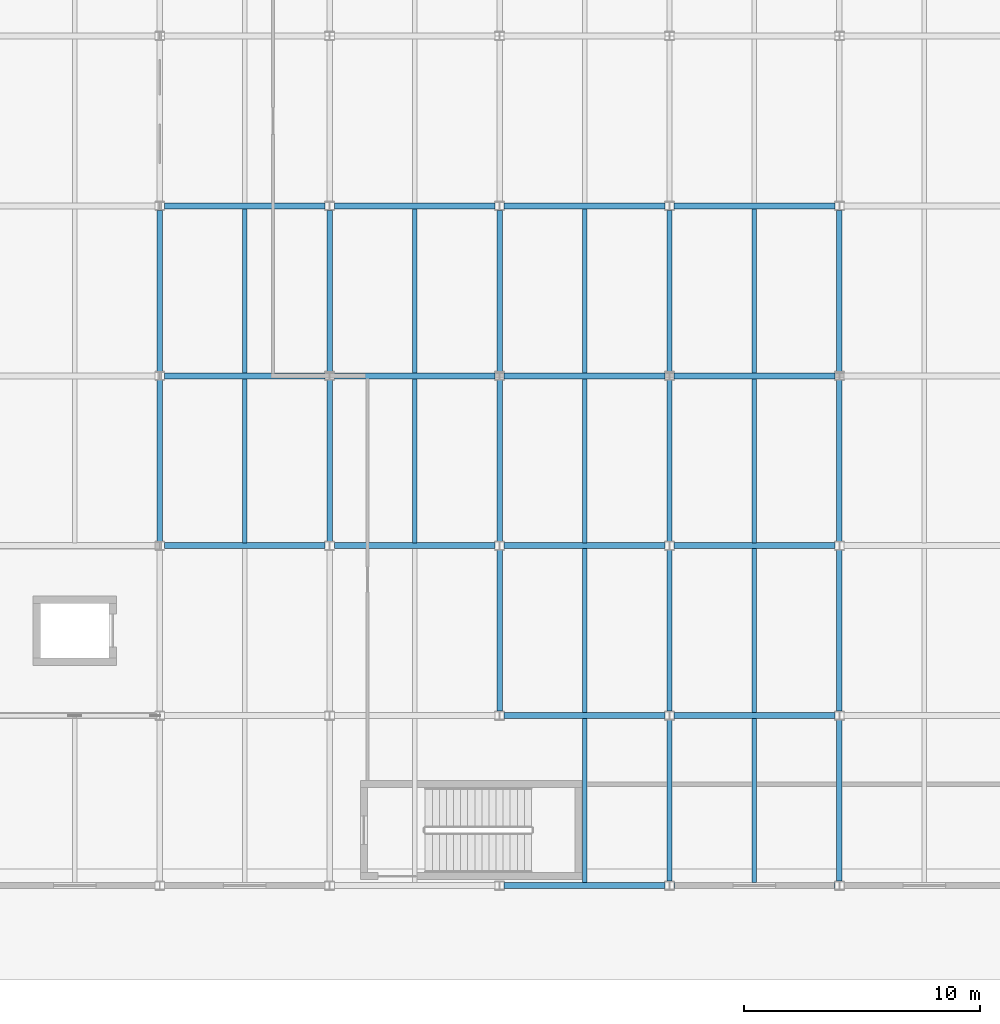
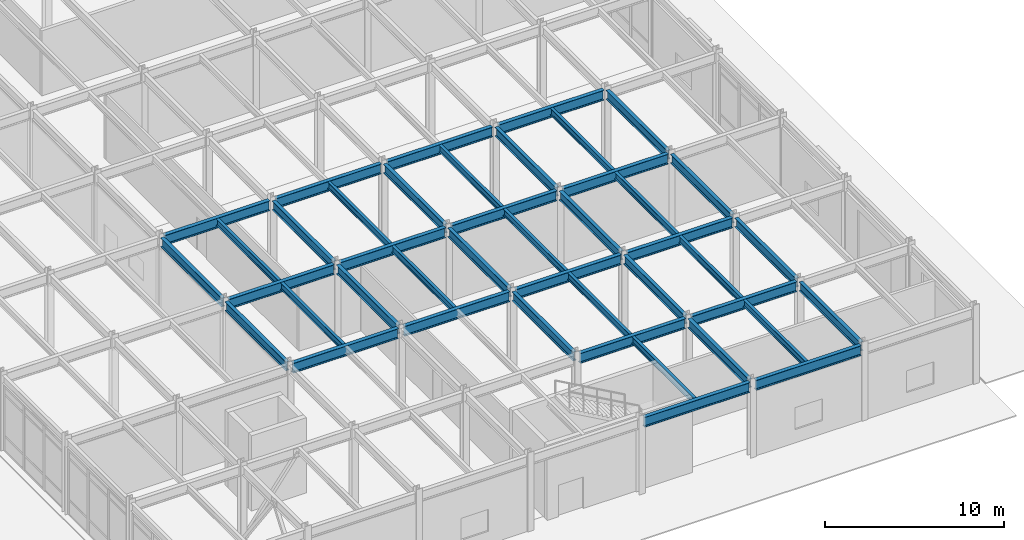
# One storey, part 43 of 104: 43 beams.
"""IFC4 building model written with IfcOpenShell, lengths in metres."""

from ifc_helpers import new_model, si_unit, direction, frame, origin, origin_2d, place, context, subcontext, project, spatial, i_section, extrude, material, material_profile, profile_set, type_object, element, save


model = new_model("IFC4")

# Units and contexts
model_context = context("Model", 3, precision=1e-05, world=origin(), true_north=direction((0.0, 1.0)))
body_context = subcontext(model_context, "Body", "Model", "MODEL_VIEW")
ifc_project = project(units=[si_unit("LENGTHUNIT", "METRE"), si_unit("AREAUNIT", "SQUARE_METRE"), si_unit("VOLUMEUNIT", "CUBIC_METRE"), si_unit("PLANEANGLEUNIT", "RADIAN"), si_unit("MASSUNIT", "GRAM", prefix="KILO")], contexts=[model_context])

# Site, building, storey
site_placement = place(None, origin())
site = spatial("IfcSite", under=ifc_project, at=site_placement, CompositionType="ELEMENT")
building_placement = place(site_placement, origin())
building = spatial("IfcBuilding", under=site, at=building_placement, Name="Vaelcorin Mobility Hub", CompositionType="ELEMENT")
storey_placement = place(building_placement, origin())
storey = spatial("IfcBuildingStorey", under=building, at=storey_placement, Name="L00", CompositionType="ELEMENT", Elevation=0.0)

# Beams
ifc_material = material(Name="Steel ASTM A992 Grade 50", Category="steel")
ifc_material_profile_1 = material_profile(ifc_material, i_section(OverallWidth=0.19091796875, OverallDepth=0.4599609375, WebThickness=0.010009765625, FlangeThickness=0.01611328125, FilletRadius=0.012939453125, at=origin_2d()), Name="W18X55")
ifc_profile_set_1 = profile_set([ifc_material_profile_1], Name="Steel ASTM A992 Grade 50")
beam_type_1 = type_object("IfcBeamType", Name="BM-W18X55", PredefinedType="JOIST", material=ifc_profile_set_1)
beam_1_placement = place(storey_placement, frame((171.60009765625, 20.52490234375, 4.909912109375), z_axis=(0.0, 1.0, 0.0), x_axis=(-1.0, 0.0, 0.0)))
element("IfcBeam", 1, at=beam_1_placement, inside=storey, type_object=beam_type_1, Name="L00 Beam V5-L00-J-03-03-1", PredefinedType="JOIST", context=body_context, shape_type="SweptSolid", body=[
    extrude(i_section(OverallWidth=0.19091796875, OverallDepth=0.4599609375, WebThickness=0.010009765625, FlangeThickness=0.01611328125, FilletRadius=0.012939453125, at=origin_2d()), origin(), (0.0, 0.0, 1.0), 6.9501953125),
])
beam_2_placement = place(storey_placement, frame((171.60009765625, 27.72509765625, 4.909912109375), z_axis=(0.0, 1.0, 0.0), x_axis=(-1.0, 0.0, 0.0)))
element("IfcBeam", 2, at=beam_2_placement, inside=storey, type_object=beam_type_1, Name="L00 Beam V5-L00-J-03-04-1", PredefinedType="JOIST", context=body_context, shape_type="SweptSolid", body=[
    extrude(i_section(OverallWidth=0.19091796875, OverallDepth=0.4599609375, WebThickness=0.010009765625, FlangeThickness=0.01611328125, FilletRadius=0.012939453125, at=origin_2d()), origin(), (0.0, 0.0, 1.0), 6.949951171875),
])
beam_3_placement = place(storey_placement, frame((178.800048828125, 20.52490234375, 4.909912109375), z_axis=(0.0, 1.0, 0.0), x_axis=(-1.0, 0.0, 0.0)))
element("IfcBeam", 3, at=beam_3_placement, inside=storey, type_object=beam_type_1, Name="L00 Beam V5-L00-J-04-03-1", PredefinedType="JOIST", context=body_context, shape_type="SweptSolid", body=[
    extrude(i_section(OverallWidth=0.19091796875, OverallDepth=0.4599609375, WebThickness=0.010009765625, FlangeThickness=0.01611328125, FilletRadius=0.012939453125, at=origin_2d()), origin(), (0.0, 0.0, 1.0), 6.9501953125),
])
for number, where, z_axis, x_axis, name in (
    (4, (178.800048828125, 27.72509765625, 4.909912109375), (0.0, 1.0, 0.0), (-1.0, 0.0, 0.0), "L00 Beam V5-L00-J-04-04-1"),
    (5, (186.0, 6.125, 4.909912109375), (0.0, 1.0, 0.0), (-1.0, 0.0, 0.0), "L00 Beam V5-L00-J-05-01-1"),
    (6, (186.0, 13.324951171875, 4.909912109375), (0.0, 1.0, 0.0), (-1.0, 0.0, 0.0), "L00 Beam V5-L00-J-05-02-1"),
):
    element("IfcBeam", number, at=place(storey_placement, frame(where, z_axis=z_axis, x_axis=x_axis)), inside=storey, type_object=beam_type_1, Name=name, PredefinedType="JOIST", context=body_context, shape_type="SweptSolid", body=[
        extrude(i_section(OverallWidth=0.19091796875, OverallDepth=0.4599609375, WebThickness=0.010009765625, FlangeThickness=0.01611328125, FilletRadius=0.012939453125, at=origin_2d()), origin(), (0.0, 0.0, 1.0), 6.949951171875),
    ])
beam_4_placement = place(storey_placement, frame((186.0, 20.52490234375, 4.909912109375), z_axis=(0.0, 1.0, 0.0), x_axis=(-1.0, 0.0, 0.0)))
element("IfcBeam", 7, at=beam_4_placement, inside=storey, type_object=beam_type_1, Name="L00 Beam V5-L00-J-05-03-1", PredefinedType="JOIST", context=body_context, shape_type="SweptSolid", body=[
    extrude(i_section(OverallWidth=0.19091796875, OverallDepth=0.4599609375, WebThickness=0.010009765625, FlangeThickness=0.01611328125, FilletRadius=0.012939453125, at=origin_2d()), origin(), (0.0, 0.0, 1.0), 6.9501953125),
])
for number, where, z_axis, x_axis, name in (
    (8, (186.0, 27.72509765625, 4.909912109375), (0.0, 1.0, 0.0), (-1.0, 0.0, 0.0), "L00 Beam V5-L00-J-05-04-1"),
    (9, (193.199951171875, 6.125, 4.909912109375), (0.0, 1.0, 0.0), (-1.0, 0.0, 0.0), "L00 Beam V5-L00-J-06-01-1"),
    (10, (193.199951171875, 13.324951171875, 4.909912109375), (0.0, 1.0, 0.0), (-1.0, 0.0, 0.0), "L00 Beam V5-L00-J-06-02-1"),
):
    element("IfcBeam", number, at=place(storey_placement, frame(where, z_axis=z_axis, x_axis=x_axis)), inside=storey, type_object=beam_type_1, Name=name, PredefinedType="JOIST", context=body_context, shape_type="SweptSolid", body=[
        extrude(i_section(OverallWidth=0.19091796875, OverallDepth=0.4599609375, WebThickness=0.010009765625, FlangeThickness=0.01611328125, FilletRadius=0.012939453125, at=origin_2d()), origin(), (0.0, 0.0, 1.0), 6.949951171875),
    ])
beam_5_placement = place(storey_placement, frame((193.199951171875, 20.52490234375, 4.909912109375), z_axis=(0.0, 1.0, 0.0), x_axis=(-1.0, 0.0, 0.0)))
element("IfcBeam", 11, at=beam_5_placement, inside=storey, type_object=beam_type_1, Name="L00 Beam V5-L00-J-06-03-1", PredefinedType="JOIST", context=body_context, shape_type="SweptSolid", body=[
    extrude(i_section(OverallWidth=0.19091796875, OverallDepth=0.4599609375, WebThickness=0.010009765625, FlangeThickness=0.01611328125, FilletRadius=0.012939453125, at=origin_2d()), origin(), (0.0, 0.0, 1.0), 6.9501953125),
])
beam_6_placement = place(storey_placement, frame((193.199951171875, 27.72509765625, 4.909912109375), z_axis=(0.0, 1.0, 0.0), x_axis=(-1.0, 0.0, 0.0)))
element("IfcBeam", 12, at=beam_6_placement, inside=storey, type_object=beam_type_1, Name="L00 Beam V5-L00-J-06-04-1", PredefinedType="JOIST", context=body_context, shape_type="SweptSolid", body=[
    extrude(i_section(OverallWidth=0.19091796875, OverallDepth=0.4599609375, WebThickness=0.010009765625, FlangeThickness=0.01611328125, FilletRadius=0.012939453125, at=origin_2d()), origin(), (0.0, 0.0, 1.0), 6.949951171875),
])
ifc_material_profile_2 = material_profile(ifc_material, i_section(OverallWidth=0.22900390625, OverallDepth=0.612060546875, WebThickness=0.011962890625, FlangeThickness=0.01953125, FilletRadius=0.014892578125, at=origin_2d()), Name="W24X84")
ifc_profile_set_2 = profile_set([ifc_material_profile_2], Name="Steel ASTM A992 Grade 50")
beam_type_2 = type_object("IfcBeamType", Name="BM-W24X84", PredefinedType="BEAM", material=ifc_profile_set_2)
beam_7_placement = place(storey_placement, frame((168.0, 20.587890625, 4.833984375), z_axis=(0.0, 1.0, 0.0), x_axis=(-1.0, 0.0, 0.0)))
element("IfcBeam", 13, at=beam_7_placement, inside=storey, type_object=beam_type_2, Name="L00 Beam V5-L00-GY-03-03", PredefinedType="BEAM", context=body_context, shape_type="SweptSolid", body=[
    extrude(i_section(OverallWidth=0.22900390625, OverallDepth=0.612060546875, WebThickness=0.011962890625, FlangeThickness=0.01953125, FilletRadius=0.014892578125, at=origin_2d()), origin(), (0.0, 0.0, 1.0), 6.82421875),
])
beam_8_placement = place(storey_placement, frame((168.0, 27.7890625, 4.833984375), z_axis=(0.0, 1.0, 0.0), x_axis=(-1.0, 0.0, 0.0)))
element("IfcBeam", 14, at=beam_8_placement, inside=storey, type_object=beam_type_2, Name="L00 Beam V5-L00-GY-03-04", PredefinedType="BEAM", context=body_context, shape_type="SweptSolid", body=[
    extrude(i_section(OverallWidth=0.22900390625, OverallDepth=0.612060546875, WebThickness=0.011962890625, FlangeThickness=0.01953125, FilletRadius=0.014892578125, at=origin_2d()), origin(), (0.0, 0.0, 1.0), 6.822998046875),
])
beam_9_placement = place(storey_placement, frame((175.199951171875, 20.587890625, 4.833984375), z_axis=(0.0, 1.0, 0.0), x_axis=(-1.0, 0.0, 0.0)))
element("IfcBeam", 15, at=beam_9_placement, inside=storey, type_object=beam_type_2, Name="L00 Beam V5-L00-GY-04-03", PredefinedType="BEAM", context=body_context, shape_type="SweptSolid", body=[
    extrude(i_section(OverallWidth=0.22900390625, OverallDepth=0.612060546875, WebThickness=0.011962890625, FlangeThickness=0.01953125, FilletRadius=0.014892578125, at=origin_2d()), origin(), (0.0, 0.0, 1.0), 6.82421875),
])
for number, where, z_axis, x_axis, name in (
    (16, (175.199951171875, 27.7890625, 4.833984375), (0.0, 1.0, 0.0), (-1.0, 0.0, 0.0), "L00 Beam V5-L00-GY-04-04"),
    (17, (182.39990234375, 13.387939453125, 4.833984375), (0.0, 1.0, 0.0), (-1.0, 0.0, 0.0), "L00 Beam V5-L00-GY-05-02"),
):
    element("IfcBeam", number, at=place(storey_placement, frame(where, z_axis=z_axis, x_axis=x_axis)), inside=storey, type_object=beam_type_2, Name=name, PredefinedType="BEAM", context=body_context, shape_type="SweptSolid", body=[
        extrude(i_section(OverallWidth=0.22900390625, OverallDepth=0.612060546875, WebThickness=0.011962890625, FlangeThickness=0.01953125, FilletRadius=0.014892578125, at=origin_2d()), origin(), (0.0, 0.0, 1.0), 6.822998046875),
    ])
beam_10_placement = place(storey_placement, frame((182.39990234375, 20.587890625, 4.833984375), z_axis=(0.0, 1.0, 0.0), x_axis=(-1.0, 0.0, 0.0)))
element("IfcBeam", 18, at=beam_10_placement, inside=storey, type_object=beam_type_2, Name="L00 Beam V5-L00-GY-05-03", PredefinedType="BEAM", context=body_context, shape_type="SweptSolid", body=[
    extrude(i_section(OverallWidth=0.22900390625, OverallDepth=0.612060546875, WebThickness=0.011962890625, FlangeThickness=0.01953125, FilletRadius=0.014892578125, at=origin_2d()), origin(), (0.0, 0.0, 1.0), 6.82421875),
])
beam_11_placement = place(storey_placement, frame((182.39990234375, 27.7890625, 4.833984375), z_axis=(0.0, 1.0, 0.0), x_axis=(-1.0, 0.0, 0.0)))
element("IfcBeam", 19, at=beam_11_placement, inside=storey, type_object=beam_type_2, Name="L00 Beam V5-L00-GY-05-04", PredefinedType="BEAM", context=body_context, shape_type="SweptSolid", body=[
    extrude(i_section(OverallWidth=0.22900390625, OverallDepth=0.612060546875, WebThickness=0.011962890625, FlangeThickness=0.01953125, FilletRadius=0.014892578125, at=origin_2d()), origin(), (0.0, 0.0, 1.0), 6.822998046875),
])
beam_12_placement = place(storey_placement, frame((189.60009765625, 6.18798828125, 4.833984375), z_axis=(0.0, 1.0, 0.0), x_axis=(-1.0, 0.0, 0.0)))
element("IfcBeam", 20, at=beam_12_placement, inside=storey, type_object=beam_type_2, Name="L00 Beam V5-L00-GY-06-01", PredefinedType="BEAM", context=body_context, shape_type="SweptSolid", body=[
    extrude(i_section(OverallWidth=0.22900390625, OverallDepth=0.612060546875, WebThickness=0.011962890625, FlangeThickness=0.01953125, FilletRadius=0.014892578125, at=origin_2d()), origin(), (0.0, 0.0, 1.0), 6.823974609375),
])
beam_13_placement = place(storey_placement, frame((189.60009765625, 13.387939453125, 4.833984375), z_axis=(0.0, 1.0, 0.0), x_axis=(-1.0, 0.0, 0.0)))
element("IfcBeam", 21, at=beam_13_placement, inside=storey, type_object=beam_type_2, Name="L00 Beam V5-L00-GY-06-02", PredefinedType="BEAM", context=body_context, shape_type="SweptSolid", body=[
    extrude(i_section(OverallWidth=0.22900390625, OverallDepth=0.612060546875, WebThickness=0.011962890625, FlangeThickness=0.01953125, FilletRadius=0.014892578125, at=origin_2d()), origin(), (0.0, 0.0, 1.0), 6.822998046875),
])
beam_14_placement = place(storey_placement, frame((189.60009765625, 20.587890625, 4.833984375), z_axis=(0.0, 1.0, 0.0), x_axis=(-1.0, 0.0, 0.0)))
element("IfcBeam", 22, at=beam_14_placement, inside=storey, type_object=beam_type_2, Name="L00 Beam V5-L00-GY-06-03", PredefinedType="BEAM", context=body_context, shape_type="SweptSolid", body=[
    extrude(i_section(OverallWidth=0.22900390625, OverallDepth=0.612060546875, WebThickness=0.011962890625, FlangeThickness=0.01953125, FilletRadius=0.014892578125, at=origin_2d()), origin(), (0.0, 0.0, 1.0), 6.82421875),
])
beam_15_placement = place(storey_placement, frame((189.60009765625, 27.7890625, 4.833984375), z_axis=(0.0, 1.0, 0.0), x_axis=(-1.0, 0.0, 0.0)))
element("IfcBeam", 23, at=beam_15_placement, inside=storey, type_object=beam_type_2, Name="L00 Beam V5-L00-GY-06-04", PredefinedType="BEAM", context=body_context, shape_type="SweptSolid", body=[
    extrude(i_section(OverallWidth=0.22900390625, OverallDepth=0.612060546875, WebThickness=0.011962890625, FlangeThickness=0.01953125, FilletRadius=0.014892578125, at=origin_2d()), origin(), (0.0, 0.0, 1.0), 6.822998046875),
])
beam_16_placement = place(storey_placement, frame((196.800048828125, 6.18798828125, 4.833984375), z_axis=(0.0, 1.0, 0.0), x_axis=(-1.0, 0.0, 0.0)))
element("IfcBeam", 24, at=beam_16_placement, inside=storey, type_object=beam_type_2, Name="L00 Beam V5-L00-GY-07-01", PredefinedType="BEAM", context=body_context, shape_type="SweptSolid", body=[
    extrude(i_section(OverallWidth=0.22900390625, OverallDepth=0.612060546875, WebThickness=0.011962890625, FlangeThickness=0.01953125, FilletRadius=0.014892578125, at=origin_2d()), origin(), (0.0, 0.0, 1.0), 6.823974609375),
])
beam_17_placement = place(storey_placement, frame((196.800048828125, 13.387939453125, 4.833984375), z_axis=(0.0, 1.0, 0.0), x_axis=(-1.0, 0.0, 0.0)))
element("IfcBeam", 25, at=beam_17_placement, inside=storey, type_object=beam_type_2, Name="L00 Beam V5-L00-GY-07-02", PredefinedType="BEAM", context=body_context, shape_type="SweptSolid", body=[
    extrude(i_section(OverallWidth=0.22900390625, OverallDepth=0.612060546875, WebThickness=0.011962890625, FlangeThickness=0.01953125, FilletRadius=0.014892578125, at=origin_2d()), origin(), (0.0, 0.0, 1.0), 6.822998046875),
])
beam_18_placement = place(storey_placement, frame((196.800048828125, 20.587890625, 4.833984375), z_axis=(0.0, 1.0, 0.0), x_axis=(-1.0, 0.0, 0.0)))
element("IfcBeam", 26, at=beam_18_placement, inside=storey, type_object=beam_type_2, Name="L00 Beam V5-L00-GY-07-03", PredefinedType="BEAM", context=body_context, shape_type="SweptSolid", body=[
    extrude(i_section(OverallWidth=0.22900390625, OverallDepth=0.612060546875, WebThickness=0.011962890625, FlangeThickness=0.01953125, FilletRadius=0.014892578125, at=origin_2d()), origin(), (0.0, 0.0, 1.0), 6.82421875),
])
beam_19_placement = place(storey_placement, frame((196.800048828125, 27.7890625, 4.833984375), z_axis=(0.0, 1.0, 0.0), x_axis=(-1.0, 0.0, 0.0)))
element("IfcBeam", 27, at=beam_19_placement, inside=storey, type_object=beam_type_2, Name="L00 Beam V5-L00-GY-07-04", PredefinedType="BEAM", context=body_context, shape_type="SweptSolid", body=[
    extrude(i_section(OverallWidth=0.22900390625, OverallDepth=0.612060546875, WebThickness=0.011962890625, FlangeThickness=0.01953125, FilletRadius=0.014892578125, at=origin_2d()), origin(), (0.0, 0.0, 1.0), 6.822998046875),
])
ifc_material_profile_3 = material_profile(ifc_material, i_section(OverallWidth=0.25390625, OverallDepth=0.68310546875, WebThickness=0.012451171875, FlangeThickness=0.018798828125, FilletRadius=0.01611328125, at=origin_2d()), Name="W27X94")
ifc_profile_set_3 = profile_set([ifc_material_profile_3], Name="Steel ASTM A992 Grade 50")
beam_type_3 = type_object("IfcBeamType", Name="BM-W27X94", PredefinedType="BEAM", material=ifc_profile_set_3)
for number, where, z_axis, x_axis, name in (
    (28, (182.595947265625, 6.0, 4.798095703125), (1.0, 0.0, 0.0), (0.0, 1.0, 0.0), "L00 Beam V5-L00-GX-01-05"),
    (29, (189.7958984375, 6.0, 4.798095703125), (1.0, 0.0, 0.0), (0.0, 1.0, 0.0), "L00 Beam V5-L00-GX-01-06"),
    (30, (182.595947265625, 13.199951171875, 4.798095703125), (1.0, 0.0, 0.0), (0.0, 1.0, 0.0), "L00 Beam V5-L00-GX-02-05"),
    (31, (189.7958984375, 13.199951171875, 4.798095703125), (1.0, 0.0, 0.0), (0.0, 1.0, 0.0), "L00 Beam V5-L00-GX-02-06"),
):
    element("IfcBeam", number, at=place(storey_placement, frame(where, z_axis=z_axis, x_axis=x_axis)), inside=storey, type_object=beam_type_3, Name=name, PredefinedType="BEAM", context=body_context, shape_type="SweptSolid", body=[
        extrude(i_section(OverallWidth=0.25390625, OverallDepth=0.68310546875, WebThickness=0.012451171875, FlangeThickness=0.018798828125, FilletRadius=0.01611328125, at=origin_2d()), origin(), (0.0, 0.0, 1.0), 6.80810546875),
    ])
beam_20_placement = place(storey_placement, frame((168.196044921875, 20.39990234375, 4.798095703125), z_axis=(1.0, 0.0, 0.0), x_axis=(0.0, 1.0, 0.0)))
element("IfcBeam", 32, at=beam_20_placement, inside=storey, type_object=beam_type_3, Name="L00 Beam V5-L00-GX-03-03", PredefinedType="BEAM", context=body_context, shape_type="SweptSolid", body=[
    extrude(i_section(OverallWidth=0.25390625, OverallDepth=0.68310546875, WebThickness=0.012451171875, FlangeThickness=0.018798828125, FilletRadius=0.01611328125, at=origin_2d()), origin(), (0.0, 0.0, 1.0), 6.807861328125),
])
for number, where, z_axis, x_axis, name in (
    (33, (175.39599609375, 20.39990234375, 4.798095703125), (1.0, 0.0, 0.0), (0.0, 1.0, 0.0), "L00 Beam V5-L00-GX-03-04"),
    (34, (182.595947265625, 20.39990234375, 4.798095703125), (1.0, 0.0, 0.0), (0.0, 1.0, 0.0), "L00 Beam V5-L00-GX-03-05"),
    (35, (189.7958984375, 20.39990234375, 4.798095703125), (1.0, 0.0, 0.0), (0.0, 1.0, 0.0), "L00 Beam V5-L00-GX-03-06"),
):
    element("IfcBeam", number, at=place(storey_placement, frame(where, z_axis=z_axis, x_axis=x_axis)), inside=storey, type_object=beam_type_3, Name=name, PredefinedType="BEAM", context=body_context, shape_type="SweptSolid", body=[
        extrude(i_section(OverallWidth=0.25390625, OverallDepth=0.68310546875, WebThickness=0.012451171875, FlangeThickness=0.018798828125, FilletRadius=0.01611328125, at=origin_2d()), origin(), (0.0, 0.0, 1.0), 6.80810546875),
    ])
beam_21_placement = place(storey_placement, frame((168.196044921875, 27.60009765625, 4.798095703125), z_axis=(1.0, 0.0, 0.0), x_axis=(0.0, 1.0, 0.0)))
element("IfcBeam", 36, at=beam_21_placement, inside=storey, type_object=beam_type_3, Name="L00 Beam V5-L00-GX-04-03", PredefinedType="BEAM", context=body_context, shape_type="SweptSolid", body=[
    extrude(i_section(OverallWidth=0.25390625, OverallDepth=0.68310546875, WebThickness=0.012451171875, FlangeThickness=0.018798828125, FilletRadius=0.01611328125, at=origin_2d()), origin(), (0.0, 0.0, 1.0), 6.807861328125),
])
for number, where, z_axis, x_axis, name in (
    (37, (175.39599609375, 27.60009765625, 4.798095703125), (1.0, 0.0, 0.0), (0.0, 1.0, 0.0), "L00 Beam V5-L00-GX-04-04"),
    (38, (182.595947265625, 27.60009765625, 4.798095703125), (1.0, 0.0, 0.0), (0.0, 1.0, 0.0), "L00 Beam V5-L00-GX-04-05"),
    (39, (189.7958984375, 27.60009765625, 4.798095703125), (1.0, 0.0, 0.0), (0.0, 1.0, 0.0), "L00 Beam V5-L00-GX-04-06"),
):
    element("IfcBeam", number, at=place(storey_placement, frame(where, z_axis=z_axis, x_axis=x_axis)), inside=storey, type_object=beam_type_3, Name=name, PredefinedType="BEAM", context=body_context, shape_type="SweptSolid", body=[
        extrude(i_section(OverallWidth=0.25390625, OverallDepth=0.68310546875, WebThickness=0.012451171875, FlangeThickness=0.018798828125, FilletRadius=0.01611328125, at=origin_2d()), origin(), (0.0, 0.0, 1.0), 6.80810546875),
    ])
beam_22_placement = place(storey_placement, frame((168.196044921875, 34.800048828125, 4.798095703125), z_axis=(1.0, 0.0, 0.0), x_axis=(0.0, 1.0, 0.0)))
element("IfcBeam", 40, at=beam_22_placement, inside=storey, type_object=beam_type_3, Name="L00 Beam V5-L00-GX-05-03", PredefinedType="BEAM", context=body_context, shape_type="SweptSolid", body=[
    extrude(i_section(OverallWidth=0.25390625, OverallDepth=0.68310546875, WebThickness=0.012451171875, FlangeThickness=0.018798828125, FilletRadius=0.01611328125, at=origin_2d()), origin(), (0.0, 0.0, 1.0), 6.807861328125),
])
for number, where, z_axis, x_axis, name in (
    (41, (175.39599609375, 34.800048828125, 4.798095703125), (1.0, 0.0, 0.0), (0.0, 1.0, 0.0), "L00 Beam V5-L00-GX-05-04"),
    (42, (182.595947265625, 34.800048828125, 4.798095703125), (1.0, 0.0, 0.0), (0.0, 1.0, 0.0), "L00 Beam V5-L00-GX-05-05"),
    (43, (189.7958984375, 34.800048828125, 4.798095703125), (1.0, 0.0, 0.0), (0.0, 1.0, 0.0), "L00 Beam V5-L00-GX-05-06"),
):
    element("IfcBeam", number, at=place(storey_placement, frame(where, z_axis=z_axis, x_axis=x_axis)), inside=storey, type_object=beam_type_3, Name=name, PredefinedType="BEAM", context=body_context, shape_type="SweptSolid", body=[
        extrude(i_section(OverallWidth=0.25390625, OverallDepth=0.68310546875, WebThickness=0.012451171875, FlangeThickness=0.018798828125, FilletRadius=0.01611328125, at=origin_2d()), origin(), (0.0, 0.0, 1.0), 6.80810546875),
    ])

save(model, "model.ifc")
